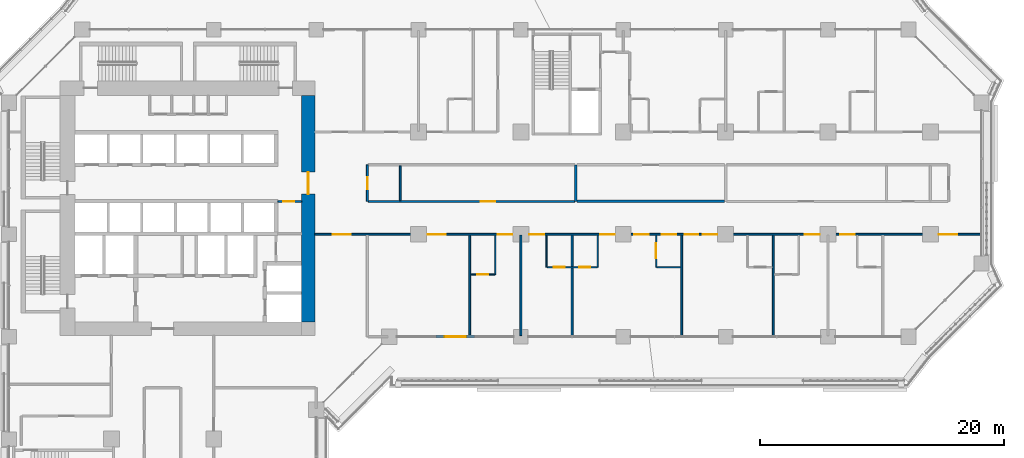
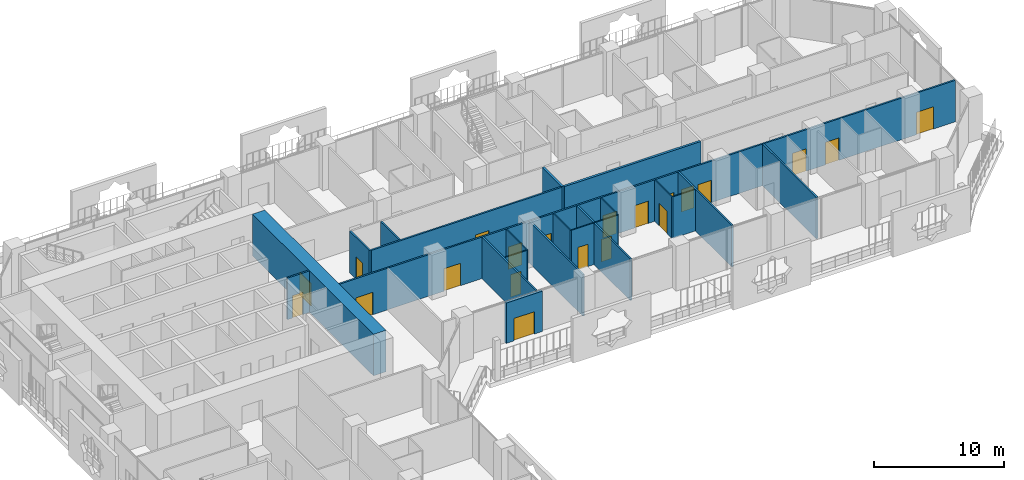
# One storey, part 16 of 28: 21 doors, 21 walls, 21 openings.
"""IFC4 building model written with IfcOpenShell, lengths in metres."""

from ifc_helpers import new_model, si_unit, direction, frame, frame_2d, origin, place, context, subcontext, project, spatial, rectangle, extrude, material, layer, layer_set, type_object, element, fill, save


model = new_model("IFC4")

# Units and contexts
model_context = context("Model", 3, precision=1e-05, world=origin(), true_north=direction((0.0, 1.0)))
body_context = subcontext(model_context, "Body", "Model", "MODEL_VIEW")
ifc_project = project(units=[si_unit("LENGTHUNIT", "METRE"), si_unit("AREAUNIT", "SQUARE_METRE"), si_unit("VOLUMEUNIT", "CUBIC_METRE"), si_unit("PLANEANGLEUNIT", "RADIAN"), si_unit("MASSUNIT", "GRAM", prefix="KILO")], contexts=[model_context])

# Site, building, storey
site_placement = place(None, origin())
site = spatial("IfcSite", under=ifc_project, at=site_placement, CompositionType="ELEMENT")
building_placement = place(site_placement, origin())
building = spatial("IfcBuilding", under=site, at=building_placement, Name="Kawkab Arch Medical Tower", CompositionType="ELEMENT")
storey_placement = place(building_placement, frame((0.0, 0.0, 72.800048828125)))
storey = spatial("IfcBuildingStorey", under=building, at=storey_placement, Name="L16", CompositionType="ELEMENT", Elevation=72.800048828125)

# Wall, opening, door
ifc_material_1 = material(Name="Concrete C60/75", Category="concrete")
ifc_layer_1 = layer(ifc_material_1, 1.10009765625)
ifc_layer_set_1 = layer_set([ifc_layer_1], Name="Concrete C60/75")
wall_type_1 = type_object("IfcWallType", Name="Core ring wall 1100 C60/75", PredefinedType="SHEAR", material=ifc_layer_set_1)
wall_1_placement = place(storey_placement, frame((24.550048828125, -24.0, 0.0), z_axis=(0.0, 0.0, 1.0), x_axis=(0.0, 1.0, 0.0)))
wall_1 = element("IfcWall", 1, at=wall_1_placement, inside=storey, type_object=wall_type_1, Name="L16 core wall", PredefinedType="SHEAR", context=body_context, shape_type="SweptSolid", body=[
    extrude(rectangle(XDim=18.60009765625, YDim=1.10009765625, at=frame_2d((9.300048828125, 0.0))), origin(), (0.0, 0.0, 1.0), 3.89990234375),
])
opening_1_placement = place(wall_1_placement, frame((10.5, 0.0, 0.0)))
opening_1 = element("IfcOpeningElement", 2, at=opening_1_placement, cuts=wall_1, Name="Opening PD", PredefinedType="OPENING", context=body_context, shape_type="SweptSolid", body=[
    extrude(rectangle(XDim=1.800048828125, YDim=2.10009765625, at=frame_2d((0.89990234375, 1.050048828125))), frame((0.0, 0.56005859375, 0.0), z_axis=(0.0, -1.0, 0.0), x_axis=(1.0, 0.0, 0.0)), (0.0, 0.0, 1.0), 1.1201171875),
])
ifc_material_2 = material(Name="Hollow metal fire door leaf")
door_type_1 = type_object("IfcDoorType", Name="Core entrance doors 1800", OperationType="DOUBLE_DOOR_SINGLE_SWING", PredefinedType="DOOR", material=ifc_material_2)
door_1_placement = place(opening_1_placement, origin())
door_1 = element("IfcDoor", 3, at=door_1_placement, inside=storey, type_object=door_type_1, Name="L16 East entrance doors", OperationType="DOUBLE_DOOR_SINGLE_SWING", OverallHeight=2.10009765625, OverallWidth=1.800048828125, PredefinedType="DOOR", context=body_context, shape_type="SweptSolid", body=[
    extrude(rectangle(XDim=1.800048828125, YDim=2.10009765625, at=frame_2d((0.89990234375, 1.050048828125))), frame((0.0, 0.02490234375, 0.0), z_axis=(0.0, -1.0, 0.0), x_axis=(1.0, 0.0, 0.0)), (0.0, 0.0, 1.0), 0.050048828125),
])
fill(opening_1, door_1)

ifc_material_3 = material(Name="Gypsum board on steel studs", Category="steel")
ifc_layer_2 = layer(ifc_material_3, 0.14990234375)
ifc_layer_set_2 = layer_set([ifc_layer_2], Name="Gypsum board on steel studs")
wall_type_2 = type_object("IfcWallType", Name="Core room partition 150", PredefinedType="PARTITIONING", material=ifc_layer_set_2)
wall_2_placement = place(storey_placement, frame((22.050048828125, -14.10009765625, 0.0), z_axis=(0.0, 0.0, 1.0), x_axis=(1.0, 0.0, 0.0)))
wall_2 = element("IfcWall", 4, at=wall_2_placement, inside=storey, type_object=wall_type_2, Name="L16 core room partition", PredefinedType="PARTITIONING", context=body_context, shape_type="SweptSolid", body=[
    extrude(rectangle(XDim=1.949951171875, YDim=0.14990234375, at=frame_2d((0.97509765625, 0.0))), origin(), (0.0, 0.0, 1.0), 3.89990234375),
])
opening_2_placement = place(wall_2_placement, frame((0.449951171875, 0.0, 0.0)))
opening_2 = element("IfcOpeningElement", 5, at=opening_2_placement, cuts=wall_2, Name="Opening RD", PredefinedType="OPENING", context=body_context, shape_type="SweptSolid", body=[
    extrude(rectangle(XDim=0.89990234375, YDim=2.10009765625, at=frame_2d((0.449951171875, 1.050048828125))), frame((0.0, 0.0849609375, 0.0), z_axis=(0.0, -1.0, 0.0), x_axis=(1.0, 0.0, 0.0)), (0.0, 0.0, 1.0), 0.169921875),
])
ifc_material_4 = material(Name="Hollow metal fire door leaf")
door_type_2 = type_object("IfcDoorType", Name="Core room door 900", OperationType="SINGLE_SWING_LEFT", PredefinedType="DOOR", material=ifc_material_4)
door_2_placement = place(opening_2_placement, origin())
door_2 = element("IfcDoor", 6, at=door_2_placement, inside=storey, type_object=door_type_2, Name="L16 UPS room door", OperationType="SINGLE_SWING_LEFT", OverallHeight=2.10009765625, OverallWidth=0.89990234375, PredefinedType="DOOR", context=body_context, shape_type="SweptSolid", body=[
    extrude(rectangle(XDim=0.89990234375, YDim=2.10009765625, at=frame_2d((0.449951171875, 1.050048828125))), frame((0.0, 0.02490234375, 0.0), z_axis=(0.0, -1.0, 0.0), x_axis=(1.0, 0.0, 0.0)), (0.0, 0.0, 1.0), 0.050048828125),
])
fill(opening_2, door_2)

ifc_material_5 = material(Name="Bronze clad insulated wall panel")
ifc_layer_3 = layer(ifc_material_5, 0.25)
ifc_layer_set_3 = layer_set([ifc_layer_3], Name="Bronze clad insulated wall panel")
wall_type_3 = type_object("IfcWallType", Name="External wall bay 250", PredefinedType="SOLIDWALL", material=ifc_layer_set_3)
wall_3_placement = place(storey_placement, frame((35.0166015625, -25.199951171875, 0.0), z_axis=(0.0, 0.0, 1.0), x_axis=(1.0, 0.0, 0.0)))
wall_3 = element("IfcWall", 7, at=wall_3_placement, inside=storey, type_object=wall_type_3, Name="External wall bay L16.R07.1.2", PredefinedType="SOLIDWALL", context=body_context, shape_type="SweptSolid", body=[
    extrude(rectangle(XDim=3.191650390625, YDim=0.25, at=frame_2d((1.595703125, 0.0))), origin(), (0.0, 0.0, 1.0), 3.780029296875),
])
opening_3_placement = place(wall_3_placement, frame((0.69580078125, 0.0, 0.0)))
opening_3 = element("IfcOpeningElement", 8, at=opening_3_placement, cuts=wall_3, Name="Opening W11-701", PredefinedType="OPENING", context=body_context, shape_type="SweptSolid", body=[
    extrude(rectangle(XDim=1.800048828125, YDim=2.10009765625, at=frame_2d((0.89990234375, 1.050048828125))), frame((0.0, 0.135009765625, 0.0), z_axis=(0.0, -1.0, 0.0), x_axis=(1.0, 0.0, 0.0)), (0.0, 0.0, 1.0), 0.27001953125),
])
ifc_material_6 = material(Name="Bronze anodised aluminium door with tinted glass", Category="aluminium")
door_type_3 = type_object("IfcDoorType", Name="Double external door 1800 x 2100", OperationType="DOUBLE_DOOR_SINGLE_SWING", PredefinedType="DOOR", material=ifc_material_6)
door_3_placement = place(opening_3_placement, origin())
door_3 = element("IfcDoor", 9, at=door_3_placement, inside=storey, type_object=door_type_3, Name="External door L16.R07.1.2", OperationType="DOUBLE_DOOR_SINGLE_SWING", OverallHeight=2.10009765625, OverallWidth=1.800048828125, PredefinedType="DOOR", context=body_context, shape_type="SweptSolid", body=[
    extrude(rectangle(XDim=1.800048828125, YDim=2.10009765625, at=frame_2d((0.89990234375, 1.050048828125))), frame((0.0, 0.02490234375, 0.0), z_axis=(0.0, -1.0, 0.0), x_axis=(1.0, 0.0, 0.0)), (0.0, 0.0, 1.0), 0.050048828125),
])
fill(opening_3, door_3)

ifc_material_7 = material(Name="Gypsum board partition on steel studs", Category="steel")
ifc_layer_4 = layer(ifc_material_7, 0.10009765625)
ifc_layer_set_4 = layer_set([ifc_layer_4], Name="Gypsum board partition on steel studs")
wall_type_4 = type_object("IfcWallType", Name="Partition 100", PredefinedType="PARTITIONING", material=ifc_layer_set_4)
wall_4_placement = place(storey_placement, frame((37.875, -20.10009765625, 0.0), z_axis=(0.0, 0.0, 1.0), x_axis=(1.0, 0.0, 0.0)))
wall_4 = element("IfcWall", 10, at=wall_4_placement, inside=storey, type_object=wall_type_4, Name="Partition 100 w010", PredefinedType="PARTITIONING", context=body_context, shape_type="SweptSolid", body=[
    extrude(rectangle(XDim=1.97509765625, YDim=0.10009765625, at=frame_2d((0.987548828125, 0.0))), origin(), (0.0, 0.0, 1.0), 3.89990234375),
])
opening_4_placement = place(wall_4_placement, frame((0.52490234375, 0.0, 0.0)))
opening_4 = element("IfcOpeningElement", 11, at=opening_4_placement, cuts=wall_4, Name="Opening W11-011", PredefinedType="OPENING", context=body_context, shape_type="SweptSolid", body=[
    extrude(rectangle(XDim=0.89990234375, YDim=2.10009765625, at=frame_2d((0.449951171875, 1.050048828125))), frame((0.0, 0.06005859375, 0.0), z_axis=(0.0, -1.0, 0.0), x_axis=(1.0, 0.0, 0.0)), (0.0, 0.0, 1.0), 0.1201171875),
])
ifc_material_8 = material(Name="Timber door leaf", Category="wood")
door_type_4 = type_object("IfcDoorType", Name="Single door 900x2100", OperationType="NOTDEFINED", PredefinedType="DOOR", material=ifc_material_8)
door_4_placement = place(opening_4_placement, origin())
door_4 = element("IfcDoor", 12, at=door_4_placement, inside=storey, type_object=door_type_4, Name="Door W11-011", OperationType="SINGLE_SWING_LEFT", OverallHeight=2.10009765625, OverallWidth=0.89990234375, PredefinedType="DOOR", context=body_context, shape_type="SweptSolid", body=[
    extrude(rectangle(XDim=0.89990234375, YDim=2.10009765625, at=frame_2d((0.449951171875, 1.050048828125))), frame((0.0, 0.02490234375, 0.0), z_axis=(0.0, -1.0, 0.0), x_axis=(1.0, 0.0, 0.0)), (0.0, 0.0, 1.0), 0.050048828125),
])
fill(opening_4, door_4)

# Wall, openings, doors
wall_5_placement = place(storey_placement, frame((44.14990234375, -19.5, 0.0), z_axis=(0.0, 0.0, 1.0), x_axis=(1.0, 0.0, 0.0)))
wall_5 = element("IfcWall", 13, at=wall_5_placement, inside=storey, type_object=wall_type_4, Name="Partition 100 w012", PredefinedType="PARTITIONING", context=body_context, shape_type="SweptSolid", body=[
    extrude(rectangle(XDim=4.10009765625, YDim=0.10009765625, at=frame_2d((2.050048828125, 0.0))), origin(), (0.0, 0.0, 1.0), 3.89990234375),
])
opening_5_placement = place(wall_5_placement, frame((0.550048828125, 0.0, 0.0)))
opening_5 = element("IfcOpeningElement", 14, at=opening_5_placement, cuts=wall_5, Name="Opening W11-012", PredefinedType="OPENING", context=body_context, shape_type="SweptSolid", body=[
    extrude(rectangle(XDim=0.89990234375, YDim=2.10009765625, at=frame_2d((0.449951171875, 1.050048828125))), frame((0.0, 0.06005859375, 0.0), z_axis=(0.0, -1.0, 0.0), x_axis=(1.0, 0.0, 0.0)), (0.0, 0.0, 1.0), 0.1201171875),
])
opening_6_placement = place(wall_5_placement, frame((2.64990234375, 0.0, 0.0)))
opening_6 = element("IfcOpeningElement", 15, at=opening_6_placement, cuts=wall_5, Name="Opening W11-013", PredefinedType="OPENING", context=body_context, shape_type="SweptSolid", body=[
    extrude(rectangle(XDim=0.89990234375, YDim=2.10009765625, at=frame_2d((0.449951171875, 1.050048828125))), frame((0.0, 0.06005859375, 0.0), z_axis=(0.0, -1.0, 0.0), x_axis=(1.0, 0.0, 0.0)), (0.0, 0.0, 1.0), 0.1201171875),
])
door_5_placement = place(opening_5_placement, origin())
door_5 = element("IfcDoor", 16, at=door_5_placement, inside=storey, type_object=door_type_4, Name="Door W11-012", OperationType="SINGLE_SWING_RIGHT", OverallHeight=2.10009765625, OverallWidth=0.89990234375, PredefinedType="DOOR", context=body_context, shape_type="SweptSolid", body=[
    extrude(rectangle(XDim=0.89990234375, YDim=2.10009765625, at=frame_2d((0.449951171875, 1.050048828125))), frame((0.0, 0.02490234375, 0.0), z_axis=(0.0, -1.0, 0.0), x_axis=(1.0, 0.0, 0.0)), (0.0, 0.0, 1.0), 0.050048828125),
])
fill(opening_5, door_5)
door_6_placement = place(opening_6_placement, origin())
door_6 = element("IfcDoor", 17, at=door_6_placement, inside=storey, type_object=door_type_4, Name="Door W11-013", OperationType="SINGLE_SWING_LEFT", OverallHeight=2.10009765625, OverallWidth=0.89990234375, PredefinedType="DOOR", context=body_context, shape_type="SweptSolid", body=[
    extrude(rectangle(XDim=0.89990234375, YDim=2.10009765625, at=frame_2d((0.449951171875, 1.050048828125))), frame((0.0, 0.02490234375, 0.0), z_axis=(0.0, -1.0, 0.0), x_axis=(1.0, 0.0, 0.0)), (0.0, 0.0, 1.0), 0.050048828125),
])
fill(opening_6, door_6)

# Walls
wall_6_placement = place(storey_placement, frame((53.14990234375, -19.5, 0.0), z_axis=(0.0, 0.0, 1.0), x_axis=(1.0, 0.0, 0.0)))
element("IfcWall", 18, at=wall_6_placement, inside=storey, type_object=wall_type_4, Name="Partition 100 w013", PredefinedType="PARTITIONING", context=body_context, shape_type="SweptSolid", body=[
    extrude(rectangle(XDim=1.97509765625, YDim=0.10009765625, at=frame_2d((0.987548828125, 0.0))), origin(), (0.0, 0.0, 1.0), 3.89990234375),
])
wall_7_placement = place(storey_placement, frame((39.89990234375, -20.10009765625, 0.0), z_axis=(0.0, 0.0, 1.0), x_axis=(0.0, 1.0, 0.0)))
element("IfcWall", 19, at=wall_7_placement, inside=storey, type_object=wall_type_4, Name="Partition 100 w028", PredefinedType="PARTITIONING", context=body_context, shape_type="SweptSolid", body=[
    extrude(rectangle(XDim=3.22509765625, YDim=0.10009765625, at=frame_2d((1.612548828125, 0.0))), origin(), (0.0, 0.0, 1.0), 3.89990234375),
])
for number, where, z_axis, x_axis, name in (
    (20, (44.10009765625, -19.5, 0.0), (0.0, 0.0, 1.0), (0.0, 1.0, 0.0), "Partition 100 w029"),
    (21, (48.300048828125, -19.5, 0.0), (0.0, 0.0, 1.0), (0.0, 1.0, 0.0), "Partition 100 w030"),
):
    element("IfcWall", number, at=place(storey_placement, frame(where, z_axis=z_axis, x_axis=x_axis)), inside=storey, type_object=wall_type_4, Name=name, PredefinedType="PARTITIONING", context=body_context, shape_type="SweptSolid", body=[
        extrude(rectangle(XDim=2.625, YDim=0.10009765625, at=frame_2d((1.3125, 0.0))), origin(), (0.0, 0.0, 1.0), 3.89990234375),
    ])

# Wall, opening, door
wall_8_placement = place(storey_placement, frame((53.10009765625, -19.5, 0.0), z_axis=(0.0, 0.0, 1.0), x_axis=(0.0, 1.0, 0.0)))
wall_8 = element("IfcWall", 22, at=wall_8_placement, inside=storey, type_object=wall_type_4, Name="Partition 100 w032", PredefinedType="PARTITIONING", context=body_context, shape_type="SweptSolid", body=[
    extrude(rectangle(XDim=2.625, YDim=0.10009765625, at=frame_2d((1.3125, 0.0))), origin(), (0.0, 0.0, 1.0), 3.89990234375),
])
opening_7_placement = place(wall_8_placement, frame((0.75, 0.0, 0.0)))
opening_7 = element("IfcOpeningElement", 23, at=opening_7_placement, cuts=wall_8, Name="Opening W11-058", PredefinedType="OPENING", context=body_context, shape_type="SweptSolid", body=[
    extrude(rectangle(XDim=1.199951171875, YDim=2.10009765625, at=frame_2d((0.60009765625, 1.050048828125))), frame((0.0, 0.06005859375, 0.0), z_axis=(0.0, -1.0, 0.0), x_axis=(1.0, 0.0, 0.0)), (0.0, 0.0, 1.0), 0.1201171875),
])
ifc_material_9 = material(Name="Timber door leaf", Category="wood")
door_type_5 = type_object("IfcDoorType", Name="Single door 1200x2100", OperationType="NOTDEFINED", PredefinedType="DOOR", material=ifc_material_9)
door_7_placement = place(opening_7_placement, origin())
door_7 = element("IfcDoor", 24, at=door_7_placement, inside=storey, type_object=door_type_5, Name="Door W11-058", OperationType="SINGLE_SWING_RIGHT", OverallHeight=2.10009765625, OverallWidth=1.199951171875, PredefinedType="DOOR", context=body_context, shape_type="SweptSolid", body=[
    extrude(rectangle(XDim=1.199951171875, YDim=2.10009765625, at=frame_2d((0.60009765625, 1.050048828125))), frame((0.0, 0.02490234375, 0.0), z_axis=(0.0, -1.0, 0.0), x_axis=(1.0, 0.0, 0.0)), (0.0, 0.0, 1.0), 0.050048828125),
])
fill(opening_7, door_7)

# Wall, openings, doors
ifc_material_10 = material(Name="Gypsum board partition on steel studs, mineral wool", Category="steel")
ifc_layer_5 = layer(ifc_material_10, 0.14990234375)
ifc_layer_set_5 = layer_set([ifc_layer_5], Name="Gypsum board partition on steel studs, mineral wool")
wall_type_5 = type_object("IfcWallType", Name="Partition 150", PredefinedType="PARTITIONING", material=ifc_layer_set_5)
wall_9_placement = place(storey_placement, frame((25.10009765625, -16.800048828125, 0.0), z_axis=(0.0, 0.0, 1.0), x_axis=(1.0, 0.0, 0.0)))
wall_9 = element("IfcWall", 25, at=wall_9_placement, inside=storey, type_object=wall_type_5, Name="Partition 150 w062", PredefinedType="PARTITIONING", context=body_context, shape_type="SweptSolid", body=[
    extrude(rectangle(XDim=54.619873046875, YDim=0.14990234375, at=frame_2d((27.31005859375, 0.0))), origin(), (0.0, 0.0, 1.0), 3.89990234375),
])
opening_8_placement = place(wall_9_placement, frame((1.449951171875, 0.0, 0.0)))
opening_8 = element("IfcOpeningElement", 26, at=opening_8_placement, cuts=wall_9, Name="Opening W11-001", PredefinedType="OPENING", context=body_context, shape_type="SweptSolid", body=[
    extrude(rectangle(XDim=1.5, YDim=2.10009765625, at=frame_2d((0.75, 1.050048828125))), frame((0.0, 0.0849609375, 0.0), z_axis=(0.0, -1.0, 0.0), x_axis=(1.0, 0.0, 0.0)), (0.0, 0.0, 1.0), 0.169921875),
])
opening_9_placement = place(wall_9_placement, frame((9.25, 0.0, 0.0)))
opening_9 = element("IfcOpeningElement", 27, at=opening_9_placement, cuts=wall_9, Name="Opening W11-003", PredefinedType="OPENING", context=body_context, shape_type="SweptSolid", body=[
    extrude(rectangle(XDim=1.5, YDim=2.10009765625, at=frame_2d((0.75, 1.050048828125))), frame((0.0, 0.0849609375, 0.0), z_axis=(0.0, -1.0, 0.0), x_axis=(1.0, 0.0, 0.0)), (0.0, 0.0, 1.0), 0.169921875),
])
opening_10_placement = place(wall_9_placement, frame((15.0, 0.0, 0.0)))
opening_10 = element("IfcOpeningElement", 28, at=opening_10_placement, cuts=wall_9, Name="Opening W11-053", PredefinedType="OPENING", context=body_context, shape_type="SweptSolid", body=[
    extrude(rectangle(XDim=1.199951171875, YDim=2.10009765625, at=frame_2d((0.60009765625, 1.050048828125))), frame((0.0, 0.0849609375, 0.0), z_axis=(0.0, -1.0, 0.0), x_axis=(1.0, 0.0, 0.0)), (0.0, 0.0, 1.0), 0.169921875),
])
opening_11_placement = place(wall_9_placement, frame((17.60009765625, 0.0, 0.0)))
opening_11 = element("IfcOpeningElement", 29, at=opening_11_placement, cuts=wall_9, Name="Opening W11-054", PredefinedType="OPENING", context=body_context, shape_type="SweptSolid", body=[
    extrude(rectangle(XDim=1.199951171875, YDim=2.10009765625, at=frame_2d((0.60009765625, 1.050048828125))), frame((0.0, 0.0849609375, 0.0), z_axis=(0.0, -1.0, 0.0), x_axis=(1.0, 0.0, 0.0)), (0.0, 0.0, 1.0), 0.169921875),
])
opening_12_placement = place(wall_9_placement, frame((26.199951171875, 0.0, 0.0)))
opening_12 = element("IfcOpeningElement", 30, at=opening_12_placement, cuts=wall_9, Name="Opening W11-055", PredefinedType="OPENING", context=body_context, shape_type="SweptSolid", body=[
    extrude(rectangle(XDim=1.199951171875, YDim=2.10009765625, at=frame_2d((0.60009765625, 1.050048828125))), frame((0.0, 0.0849609375, 0.0), z_axis=(0.0, -1.0, 0.0), x_axis=(1.0, 0.0, 0.0)), (0.0, 0.0, 1.0), 0.169921875),
])
opening_13_placement = place(wall_9_placement, frame((23.39990234375, 0.0, 0.0)))
opening_13 = element("IfcOpeningElement", 31, at=opening_13_placement, cuts=wall_9, Name="Opening W11-056", PredefinedType="OPENING", context=body_context, shape_type="SweptSolid", body=[
    extrude(rectangle(XDim=1.199951171875, YDim=2.10009765625, at=frame_2d((0.60009765625, 1.050048828125))), frame((0.0, 0.0849609375, 0.0), z_axis=(0.0, -1.0, 0.0), x_axis=(1.0, 0.0, 0.0)), (0.0, 0.0, 1.0), 0.169921875),
])
opening_14_placement = place(wall_9_placement, frame((28.449951171875, 0.0, 0.0)))
opening_14 = element("IfcOpeningElement", 32, at=opening_14_placement, cuts=wall_9, Name="Opening W11-057", PredefinedType="OPENING", context=body_context, shape_type="SweptSolid", body=[
    extrude(rectangle(XDim=1.199951171875, YDim=2.10009765625, at=frame_2d((0.60009765625, 1.050048828125))), frame((0.0, 0.0849609375, 0.0), z_axis=(0.0, -1.0, 0.0), x_axis=(1.0, 0.0, 0.0)), (0.0, 0.0, 1.0), 0.169921875),
])
opening_15_placement = place(wall_9_placement, frame((31.800048828125, 0.0, 0.0)))
opening_15 = element("IfcOpeningElement", 33, at=opening_15_placement, cuts=wall_9, Name="Opening W11-059", PredefinedType="OPENING", context=body_context, shape_type="SweptSolid", body=[
    extrude(rectangle(XDim=1.199951171875, YDim=2.10009765625, at=frame_2d((0.60009765625, 1.050048828125))), frame((0.0, 0.0849609375, 0.0), z_axis=(0.0, -1.0, 0.0), x_axis=(1.0, 0.0, 0.0)), (0.0, 0.0, 1.0), 0.169921875),
])
opening_16_placement = place(wall_9_placement, frame((30.35009765625, 0.0, 0.0)))
opening_16 = element("IfcOpeningElement", 34, at=opening_16_placement, cuts=wall_9, Name="Opening W11-041", PredefinedType="OPENING", context=body_context, shape_type="SweptSolid", body=[
    extrude(rectangle(XDim=1.10009765625, YDim=2.10009765625, at=frame_2d((0.550048828125, 1.050048828125))), frame((0.0, 0.0849609375, 0.0), z_axis=(0.0, -1.0, 0.0), x_axis=(1.0, 0.0, 0.0)), (0.0, 0.0, 1.0), 0.169921875),
])
opening_17_placement = place(wall_9_placement, frame((40.199951171875, 0.0, 0.0)))
opening_17 = element("IfcOpeningElement", 35, at=opening_17_placement, cuts=wall_9, Name="Opening W11-060", PredefinedType="OPENING", context=body_context, shape_type="SweptSolid", body=[
    extrude(rectangle(XDim=1.199951171875, YDim=2.10009765625, at=frame_2d((0.60009765625, 1.050048828125))), frame((0.0, 0.0849609375, 0.0), z_axis=(0.0, -1.0, 0.0), x_axis=(1.0, 0.0, 0.0)), (0.0, 0.0, 1.0), 0.169921875),
])
opening_18_placement = place(wall_9_placement, frame((43.10009765625, 0.0, 0.0)))
opening_18 = element("IfcOpeningElement", 36, at=opening_18_placement, cuts=wall_9, Name="Opening W11-061", PredefinedType="OPENING", context=body_context, shape_type="SweptSolid", body=[
    extrude(rectangle(XDim=1.199951171875, YDim=2.10009765625, at=frame_2d((0.60009765625, 1.050048828125))), frame((0.0, 0.0849609375, 0.0), z_axis=(0.0, -1.0, 0.0), x_axis=(1.0, 0.0, 0.0)), (0.0, 0.0, 1.0), 0.169921875),
])
opening_19_placement = place(wall_9_placement, frame((51.199951171875, 0.0, 0.0)))
opening_19 = element("IfcOpeningElement", 37, at=opening_19_placement, cuts=wall_9, Name="Opening W11-004", PredefinedType="OPENING", context=body_context, shape_type="SweptSolid", body=[
    extrude(rectangle(XDim=1.5, YDim=2.10009765625, at=frame_2d((0.75, 1.050048828125))), frame((0.0, 0.0849609375, 0.0), z_axis=(0.0, -1.0, 0.0), x_axis=(1.0, 0.0, 0.0)), (0.0, 0.0, 1.0), 0.169921875),
])
ifc_material_11 = material(Name="Hollow metal door leaf")
door_type_6 = type_object("IfcDoorType", Name="Double door 1500x2100 FD30S", OperationType="NOTDEFINED", PredefinedType="DOOR", material=ifc_material_11)
door_8_placement = place(opening_8_placement, origin())
door_8 = element("IfcDoor", 38, at=door_8_placement, inside=storey, type_object=door_type_6, Name="Door W11-001", OperationType="DOUBLE_DOOR_SINGLE_SWING", OverallHeight=2.10009765625, OverallWidth=1.5, PredefinedType="DOOR", context=body_context, shape_type="SweptSolid", body=[
    extrude(rectangle(XDim=1.5, YDim=2.10009765625, at=frame_2d((0.75, 1.050048828125))), frame((0.0, 0.02490234375, 0.0), z_axis=(0.0, -1.0, 0.0), x_axis=(1.0, 0.0, 0.0)), (0.0, 0.0, 1.0), 0.050048828125),
])
fill(opening_8, door_8)
door_9_placement = place(opening_9_placement, origin())
door_9 = element("IfcDoor", 39, at=door_9_placement, inside=storey, type_object=door_type_6, Name="Door W11-003", OperationType="DOUBLE_DOOR_SINGLE_SWING", OverallHeight=2.10009765625, OverallWidth=1.5, PredefinedType="DOOR", context=body_context, shape_type="SweptSolid", body=[
    extrude(rectangle(XDim=1.5, YDim=2.10009765625, at=frame_2d((0.75, 1.050048828125))), frame((0.0, 0.02490234375, 0.0), z_axis=(0.0, -1.0, 0.0), x_axis=(1.0, 0.0, 0.0)), (0.0, 0.0, 1.0), 0.050048828125),
])
fill(opening_9, door_9)
door_10_placement = place(opening_19_placement, origin())
door_10 = element("IfcDoor", 40, at=door_10_placement, inside=storey, type_object=door_type_6, Name="Door W11-004", OperationType="DOUBLE_DOOR_SINGLE_SWING", OverallHeight=2.10009765625, OverallWidth=1.5, PredefinedType="DOOR", context=body_context, shape_type="SweptSolid", body=[
    extrude(rectangle(XDim=1.5, YDim=2.10009765625, at=frame_2d((0.75, 1.050048828125))), frame((0.0, 0.02490234375, 0.0), z_axis=(0.0, -1.0, 0.0), x_axis=(1.0, 0.0, 0.0)), (0.0, 0.0, 1.0), 0.050048828125),
])
fill(opening_19, door_10)
ifc_material_12 = material(Name="Hollow metal door leaf")
door_type_7 = type_object("IfcDoorType", Name="Single door 1100x2100 FD30S", OperationType="NOTDEFINED", PredefinedType="DOOR", material=ifc_material_12)
door_11_placement = place(opening_16_placement, origin())
door_11 = element("IfcDoor", 41, at=door_11_placement, inside=storey, type_object=door_type_7, Name="Door W11-041", OperationType="SINGLE_SWING_LEFT", OverallHeight=2.10009765625, OverallWidth=1.10009765625, PredefinedType="DOOR", context=body_context, shape_type="SweptSolid", body=[
    extrude(rectangle(XDim=1.10009765625, YDim=2.10009765625, at=frame_2d((0.550048828125, 1.050048828125))), frame((0.0, 0.02490234375, 0.0), z_axis=(0.0, -1.0, 0.0), x_axis=(1.0, 0.0, 0.0)), (0.0, 0.0, 1.0), 0.050048828125),
])
fill(opening_16, door_11)
ifc_material_13 = material(Name="Hollow metal door leaf")
door_type_8 = type_object("IfcDoorType", Name="Single door 1200x2100 FD30S", OperationType="NOTDEFINED", PredefinedType="DOOR", material=ifc_material_13)
door_12_placement = place(opening_10_placement, origin())
door_12 = element("IfcDoor", 42, at=door_12_placement, inside=storey, type_object=door_type_8, Name="Door W11-053", OperationType="SINGLE_SWING_RIGHT", OverallHeight=2.10009765625, OverallWidth=1.199951171875, PredefinedType="DOOR", context=body_context, shape_type="SweptSolid", body=[
    extrude(rectangle(XDim=1.199951171875, YDim=2.10009765625, at=frame_2d((0.60009765625, 1.050048828125))), frame((0.0, 0.02490234375, 0.0), z_axis=(0.0, -1.0, 0.0), x_axis=(1.0, 0.0, 0.0)), (0.0, 0.0, 1.0), 0.050048828125),
])
fill(opening_10, door_12)
door_13_placement = place(opening_11_placement, origin())
door_13 = element("IfcDoor", 43, at=door_13_placement, inside=storey, type_object=door_type_8, Name="Door W11-054", OperationType="SINGLE_SWING_RIGHT", OverallHeight=2.10009765625, OverallWidth=1.199951171875, PredefinedType="DOOR", context=body_context, shape_type="SweptSolid", body=[
    extrude(rectangle(XDim=1.199951171875, YDim=2.10009765625, at=frame_2d((0.60009765625, 1.050048828125))), frame((0.0, 0.02490234375, 0.0), z_axis=(0.0, -1.0, 0.0), x_axis=(1.0, 0.0, 0.0)), (0.0, 0.0, 1.0), 0.050048828125),
])
fill(opening_11, door_13)
door_14_placement = place(opening_12_placement, origin())
door_14 = element("IfcDoor", 44, at=door_14_placement, inside=storey, type_object=door_type_8, Name="Door W11-055", OperationType="SINGLE_SWING_RIGHT", OverallHeight=2.10009765625, OverallWidth=1.199951171875, PredefinedType="DOOR", context=body_context, shape_type="SweptSolid", body=[
    extrude(rectangle(XDim=1.199951171875, YDim=2.10009765625, at=frame_2d((0.60009765625, 1.050048828125))), frame((0.0, 0.02490234375, 0.0), z_axis=(0.0, -1.0, 0.0), x_axis=(1.0, 0.0, 0.0)), (0.0, 0.0, 1.0), 0.050048828125),
])
fill(opening_12, door_14)
door_15_placement = place(opening_13_placement, origin())
door_15 = element("IfcDoor", 45, at=door_15_placement, inside=storey, type_object=door_type_8, Name="Door W11-056", OperationType="SINGLE_SWING_RIGHT", OverallHeight=2.10009765625, OverallWidth=1.199951171875, PredefinedType="DOOR", context=body_context, shape_type="SweptSolid", body=[
    extrude(rectangle(XDim=1.199951171875, YDim=2.10009765625, at=frame_2d((0.60009765625, 1.050048828125))), frame((0.0, 0.02490234375, 0.0), z_axis=(0.0, -1.0, 0.0), x_axis=(1.0, 0.0, 0.0)), (0.0, 0.0, 1.0), 0.050048828125),
])
fill(opening_13, door_15)
door_16_placement = place(opening_14_placement, origin())
door_16 = element("IfcDoor", 46, at=door_16_placement, inside=storey, type_object=door_type_8, Name="Door W11-057", OperationType="SINGLE_SWING_LEFT", OverallHeight=2.10009765625, OverallWidth=1.199951171875, PredefinedType="DOOR", context=body_context, shape_type="SweptSolid", body=[
    extrude(rectangle(XDim=1.199951171875, YDim=2.10009765625, at=frame_2d((0.60009765625, 1.050048828125))), frame((0.0, 0.02490234375, 0.0), z_axis=(0.0, -1.0, 0.0), x_axis=(1.0, 0.0, 0.0)), (0.0, 0.0, 1.0), 0.050048828125),
])
fill(opening_14, door_16)
door_17_placement = place(opening_15_placement, origin())
door_17 = element("IfcDoor", 47, at=door_17_placement, inside=storey, type_object=door_type_8, Name="Door W11-059", OperationType="SINGLE_SWING_LEFT", OverallHeight=2.10009765625, OverallWidth=1.199951171875, PredefinedType="DOOR", context=body_context, shape_type="SweptSolid", body=[
    extrude(rectangle(XDim=1.199951171875, YDim=2.10009765625, at=frame_2d((0.60009765625, 1.050048828125))), frame((0.0, 0.02490234375, 0.0), z_axis=(0.0, -1.0, 0.0), x_axis=(1.0, 0.0, 0.0)), (0.0, 0.0, 1.0), 0.050048828125),
])
fill(opening_15, door_17)
door_18_placement = place(opening_17_placement, origin())
door_18 = element("IfcDoor", 48, at=door_18_placement, inside=storey, type_object=door_type_8, Name="Door W11-060", OperationType="SINGLE_SWING_LEFT", OverallHeight=2.10009765625, OverallWidth=1.199951171875, PredefinedType="DOOR", context=body_context, shape_type="SweptSolid", body=[
    extrude(rectangle(XDim=1.199951171875, YDim=2.10009765625, at=frame_2d((0.60009765625, 1.050048828125))), frame((0.0, 0.02490234375, 0.0), z_axis=(0.0, -1.0, 0.0), x_axis=(1.0, 0.0, 0.0)), (0.0, 0.0, 1.0), 0.050048828125),
])
fill(opening_17, door_18)
door_19_placement = place(opening_18_placement, origin())
door_19 = element("IfcDoor", 49, at=door_19_placement, inside=storey, type_object=door_type_8, Name="Door W11-061", OperationType="SINGLE_SWING_LEFT", OverallHeight=2.10009765625, OverallWidth=1.199951171875, PredefinedType="DOOR", context=body_context, shape_type="SweptSolid", body=[
    extrude(rectangle(XDim=1.199951171875, YDim=2.10009765625, at=frame_2d((0.60009765625, 1.050048828125))), frame((0.0, 0.02490234375, 0.0), z_axis=(0.0, -1.0, 0.0), x_axis=(1.0, 0.0, 0.0)), (0.0, 0.0, 1.0), 0.050048828125),
])
fill(opening_18, door_19)

# Wall, opening, door
wall_10_placement = place(storey_placement, frame((29.47509765625, -14.10009765625, 0.0), z_axis=(0.0, 0.0, 1.0), x_axis=(1.0, 0.0, 0.0)))
wall_10 = element("IfcWall", 50, at=wall_10_placement, inside=storey, type_object=wall_type_5, Name="Partition 150 w063", PredefinedType="PARTITIONING", context=body_context, shape_type="SweptSolid", body=[
    extrude(rectangle(XDim=16.9248046875, YDim=0.14990234375, at=frame_2d((8.46240234375, 0.0))), origin(), (0.0, 0.0, 1.0), 3.89990234375),
])
opening_20_placement = place(wall_10_placement, frame((9.22509765625, 0.0, 0.0)))
opening_20 = element("IfcOpeningElement", 51, at=opening_20_placement, cuts=wall_10, Name="Opening W11-051", PredefinedType="OPENING", context=body_context, shape_type="SweptSolid", body=[
    extrude(rectangle(XDim=1.199951171875, YDim=2.10009765625, at=frame_2d((0.60009765625, 1.050048828125))), frame((0.0, 0.0849609375, 0.0), z_axis=(0.0, -1.0, 0.0), x_axis=(1.0, 0.0, 0.0)), (0.0, 0.0, 1.0), 0.169921875),
])
door_20_placement = place(opening_20_placement, origin())
door_20 = element("IfcDoor", 52, at=door_20_placement, inside=storey, type_object=door_type_8, Name="Door W11-051", OperationType="SINGLE_SWING_RIGHT", OverallHeight=2.10009765625, OverallWidth=1.199951171875, PredefinedType="DOOR", context=body_context, shape_type="SweptSolid", body=[
    extrude(rectangle(XDim=1.199951171875, YDim=2.10009765625, at=frame_2d((0.60009765625, 1.050048828125))), frame((0.0, 0.02490234375, 0.0), z_axis=(0.0, -1.0, 0.0), x_axis=(1.0, 0.0, 0.0)), (0.0, 0.0, 1.0), 0.050048828125),
])
fill(opening_20, door_20)

wall_11_placement = place(storey_placement, frame((29.39990234375, -14.10009765625, 0.0), z_axis=(0.0, 0.0, 1.0), x_axis=(0.0, 1.0, 0.0)))
wall_11 = element("IfcWall", 53, at=wall_11_placement, inside=storey, type_object=wall_type_5, Name="Partition 150 w081", PredefinedType="PARTITIONING", context=body_context, shape_type="SweptSolid", body=[
    extrude(rectangle(XDim=3.0, YDim=0.14990234375, at=frame_2d((1.5, 0.0))), origin(), (0.0, 0.0, 1.0), 3.89990234375),
])
opening_21_placement = place(wall_11_placement, frame((1.0, 0.0, 0.0)))
opening_21 = element("IfcOpeningElement", 54, at=opening_21_placement, cuts=wall_11, Name="Opening W11-028", PredefinedType="OPENING", context=body_context, shape_type="SweptSolid", body=[
    extrude(rectangle(XDim=1.0, YDim=2.10009765625, at=frame_2d((0.5, 1.050048828125))), frame((0.0, 0.0849609375, 0.0), z_axis=(0.0, -1.0, 0.0), x_axis=(1.0, 0.0, 0.0)), (0.0, 0.0, 1.0), 0.169921875),
])
ifc_material_14 = material(Name="Timber door leaf", Category="wood")
door_type_9 = type_object("IfcDoorType", Name="Single door 1000x2100", OperationType="NOTDEFINED", PredefinedType="DOOR", material=ifc_material_14)
door_21_placement = place(opening_21_placement, origin())
door_21 = element("IfcDoor", 55, at=door_21_placement, inside=storey, type_object=door_type_9, Name="Door W11-028", OperationType="SINGLE_SWING_RIGHT", OverallHeight=2.10009765625, OverallWidth=1.0, PredefinedType="DOOR", context=body_context, shape_type="SweptSolid", body=[
    extrude(rectangle(XDim=1.0, YDim=2.10009765625, at=frame_2d((0.5, 1.050048828125))), frame((0.0, 0.02490234375, 0.0), z_axis=(0.0, -1.0, 0.0), x_axis=(1.0, 0.0, 0.0)), (0.0, 0.0, 1.0), 0.050048828125),
])
fill(opening_21, door_21)

# Walls
wall_12_placement = place(storey_placement, frame((32.10009765625, -14.02490234375, 0.0), z_axis=(0.0, 0.0, 1.0), x_axis=(0.0, 1.0, 0.0)))
element("IfcWall", 56, at=wall_12_placement, inside=storey, type_object=wall_type_5, Name="Partition 150 w082", PredefinedType="PARTITIONING", context=body_context, shape_type="SweptSolid", body=[
    extrude(rectangle(XDim=2.849853515625, YDim=0.14990234375, at=frame_2d((1.4248046875, 0.0))), origin(), (0.0, 0.0, 1.0), 3.89990234375),
])
for number, where, z_axis, x_axis, name in (
    (57, (37.800048828125, -25.1201171875, 0.0), (0.0, 0.0, 1.0), (0.0, 1.0, 0.0), "Partition 150 w084"),
    (58, (42.0, -25.1201171875, 0.0), (0.0, 0.0, 1.0), (0.0, 1.0, 0.0), "Partition 150 w088"),
    (59, (46.199951171875, -25.1201171875, 0.0), (0.0, 0.0, 1.0), (0.0, 1.0, 0.0), "Partition 150 w090"),
    (60, (55.199951171875, -25.1201171875, 0.0), (0.0, 0.0, 1.0), (0.0, 1.0, 0.0), "Partition 150 w094"),
    (61, (62.699951171875, -25.1201171875, 0.0), (0.0, 0.0, 1.0), (0.0, 1.0, 0.0), "Partition 150 w096"),
):
    element("IfcWall", number, at=place(storey_placement, frame(where, z_axis=z_axis, x_axis=x_axis)), inside=storey, type_object=wall_type_5, Name=name, PredefinedType="PARTITIONING", context=body_context, shape_type="SweptSolid", body=[
        extrude(rectangle(XDim=8.2451171875, YDim=0.14990234375, at=frame_2d((4.12255859375, 0.0))), origin(), (0.0, 0.0, 1.0), 3.89990234375),
    ])
ifc_material_15 = material(Name="Fire-rated gypsum board partition on steel studs", Category="steel")
ifc_layer_6 = layer(ifc_material_15, 0.199951171875)
ifc_layer_set_6 = layer_set([ifc_layer_6], Name="Fire-rated gypsum board partition on steel studs")
wall_type_6 = type_object("IfcWallType", Name="Protected partition 200", PredefinedType="PARTITIONING", material=ifc_layer_set_6)
wall_13_placement = place(storey_placement, frame((46.60009765625, -14.10009765625, 0.0), z_axis=(0.0, 0.0, 1.0), x_axis=(1.0, 0.0, 0.0)))
element("IfcWall", 62, at=wall_13_placement, inside=storey, type_object=wall_type_6, Name="Protected partition 200 w104", PredefinedType="PARTITIONING", context=body_context, shape_type="SweptSolid", body=[
    extrude(rectangle(XDim=12.099853515625, YDim=0.199951171875, at=frame_2d((6.0498046875, 0.0))), origin(), (0.0, 0.0, 1.0), 3.89990234375),
])
wall_14_placement = place(storey_placement, frame((46.5, -14.10009765625, 0.0), z_axis=(0.0, 0.0, 1.0), x_axis=(0.0, 1.0, 0.0)))
element("IfcWall", 63, at=wall_14_placement, inside=storey, type_object=wall_type_6, Name="Protected partition 200 w106", PredefinedType="PARTITIONING", context=body_context, shape_type="SweptSolid", body=[
    extrude(rectangle(XDim=3.0, YDim=0.199951171875, at=frame_2d((1.5, 0.0))), origin(), (0.0, 0.0, 1.0), 3.89990234375),
])

save(model, "model.ifc")
